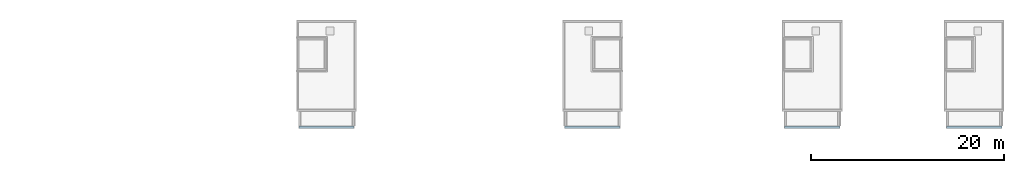
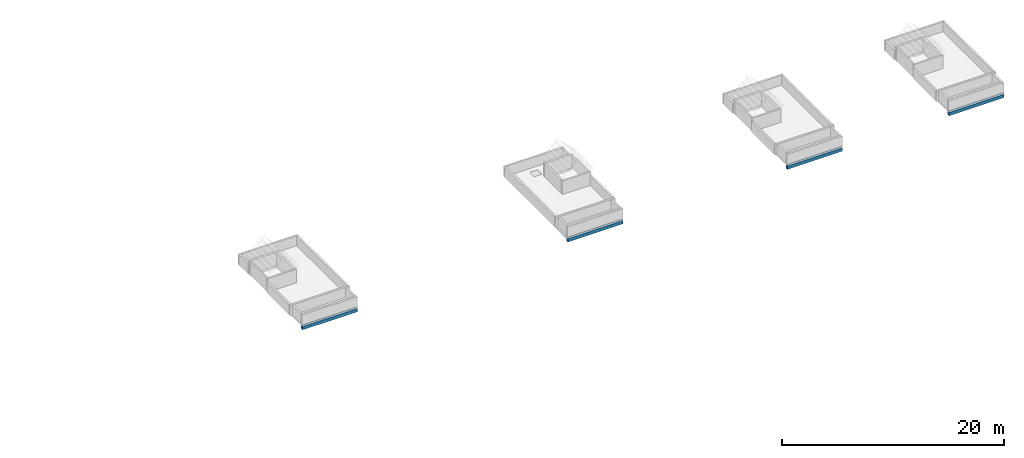
# One storey, part 5 of 15: 4 beams.
"""IFC4 building model written with IfcOpenShell, lengths in metres."""

from ifc_helpers import new_model, si_unit, direction, frame, origin, origin_2d, place, context, subcontext, project, spatial, rectangle, extrude, material, material_profile, profile_set, type_object, element, save


model = new_model("IFC4")

# Units and contexts
model_context = context("Model", 3, precision=1e-05, world=origin(), true_north=direction((0.0, 1.0)))
body_context = subcontext(model_context, "Body", "Model", "MODEL_VIEW")
ifc_project = project(units=[si_unit("LENGTHUNIT", "METRE"), si_unit("AREAUNIT", "SQUARE_METRE"), si_unit("VOLUMEUNIT", "CUBIC_METRE"), si_unit("PLANEANGLEUNIT", "RADIAN"), si_unit("MASSUNIT", "GRAM", prefix="KILO")], contexts=[model_context])

# Site, building, storey
site_placement = place(None, origin())
site = spatial("IfcSite", under=ifc_project, at=site_placement, CompositionType="ELEMENT")
building_placement = place(site_placement, origin())
building = spatial("IfcBuilding", under=site, at=building_placement, Name="Ridgestep Commons", CompositionType="ELEMENT")
storey_placement = place(building_placement, frame((0.0, 0.0, 45.0)))
storey = spatial("IfcBuildingStorey", under=building, at=storey_placement, Name="L15", CompositionType="ELEMENT", Elevation=45.0)

# Beams
ifc_material = material(Name="Precast concrete C40/50", Category="concrete")
ifc_material_profile = material_profile(ifc_material, rectangle(XDim=0.25, YDim=0.35009765625, at=origin_2d()), Name="PC 250x350")
ifc_profile_set = profile_set([ifc_material_profile], Name="Precast concrete C40/50")
beam_type = type_object("IfcBeamType", Name="Loggia edge beam 250 x 350", PredefinedType="SPANDREL", material=ifc_profile_set)
for number, where, z_axis, x_axis, name in (
    (1, (163.75, 11.875, -0.375), (1.0, 0.0, 0.0), (0.0, 1.0, 0.0), "Loggia edge beam D2C L15"),
    (2, (191.324951171875, 11.875, -0.375), (1.0, 0.0, 0.0), (0.0, 1.0, 0.0), "Loggia edge beam D3C L15"),
    (3, (214.14990234375, 11.875, -0.375), (1.0, 0.0, 0.0), (0.0, 1.0, 0.0), "Loggia edge beam D5C L15"),
    (4, (230.949951171875, 11.875, -0.375), (1.0, 0.0, 0.0), (0.0, 1.0, 0.0), "Loggia edge beam D6C L15"),
):
    element("IfcBeam", number, at=place(storey_placement, frame(where, z_axis=z_axis, x_axis=x_axis)), inside=storey, type_object=beam_type, Name=name, PredefinedType="SPANDREL", context=body_context, shape_type="SweptSolid", body=[
        extrude(rectangle(XDim=0.25, YDim=0.35009765625, at=origin_2d()), origin(), (0.0, 0.0, 1.0), 5.72509765625),
    ])

save(model, "model.ifc")
